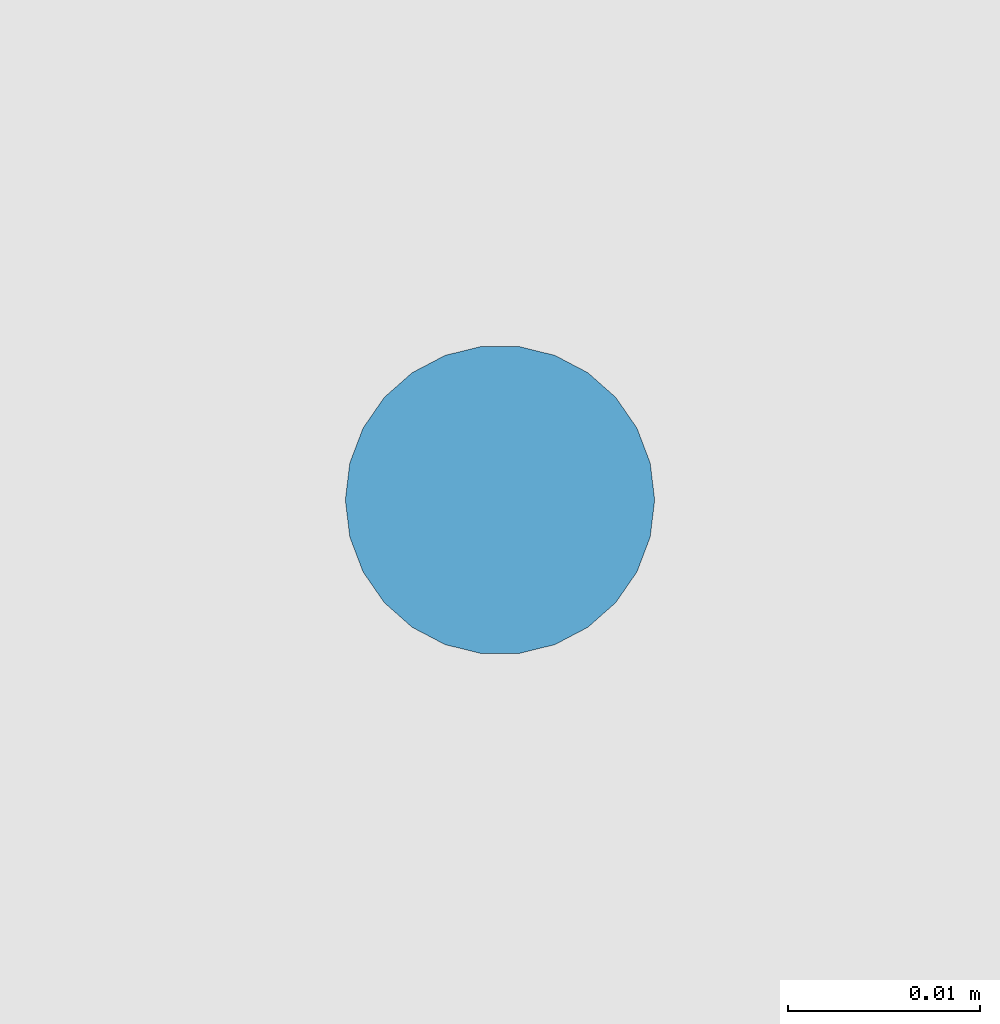
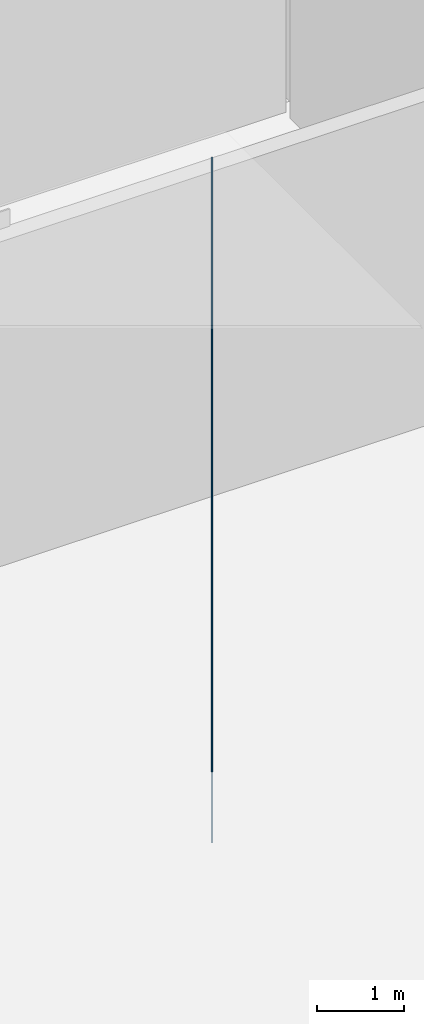
# One storey, part 65 of 82: 1 discrete accessory.
"""IFC4 building model written with IfcOpenShell, lengths in metres."""

from ifc_helpers import new_model, si_unit, direction, frame, origin, origin_2d, place, context, subcontext, project, spatial, circle, extrude, material, type_object, element, save


model = new_model("IFC4")

# Units and contexts
model_context = context("Model", 3, precision=1e-05, world=origin(), true_north=direction((0.0, 1.0)))
body_context = subcontext(model_context, "Body", "Model", "MODEL_VIEW")
ifc_project = project(units=[si_unit("LENGTHUNIT", "METRE"), si_unit("AREAUNIT", "SQUARE_METRE"), si_unit("VOLUMEUNIT", "CUBIC_METRE"), si_unit("PLANEANGLEUNIT", "RADIAN"), si_unit("MASSUNIT", "GRAM", prefix="KILO")], contexts=[model_context])

# Site, building, storey
site_placement = place(None, origin())
site = spatial("IfcSite", under=ifc_project, at=site_placement, CompositionType="ELEMENT")
building_placement = place(site_placement, origin())
building = spatial("IfcBuilding", under=site, at=building_placement, Name="Yukiwa Park Conservatory and Herbarium", CompositionType="ELEMENT")
storey_placement = place(building_placement, origin())
storey = spatial("IfcBuildingStorey", under=building, at=storey_placement, Name="L00", CompositionType="ELEMENT", Elevation=0.0)

# Discrete accessory
ifc_material = material(Name="Steel Q235B", Category="steel")
discrete_accessory_type = type_object("IfcDiscreteAccessoryType", Name="ACC-CEILING-HANGER", PredefinedType="BRACKET", material=ifc_material)
discrete_accessory_placement = place(storey_placement, frame((52.5, 98.0, 8.625), z_axis=(0.0, 0.0, -1.0), x_axis=(1.0, 0.0, 0.0)))
element("IfcDiscreteAccessory", 1, at=discrete_accessory_placement, inside=storey, type_object=discrete_accessory_type, Name="Ceiling suspension hanger rod 11", PredefinedType="BRACKET", context=body_context, shape_type="SweptSolid", body=[
    extrude(circle(Radius=0.008056640625, at=origin_2d()), origin(), (0.0, 0.0, 1.0), 9.6201171875),
])

save(model, "model.ifc")
